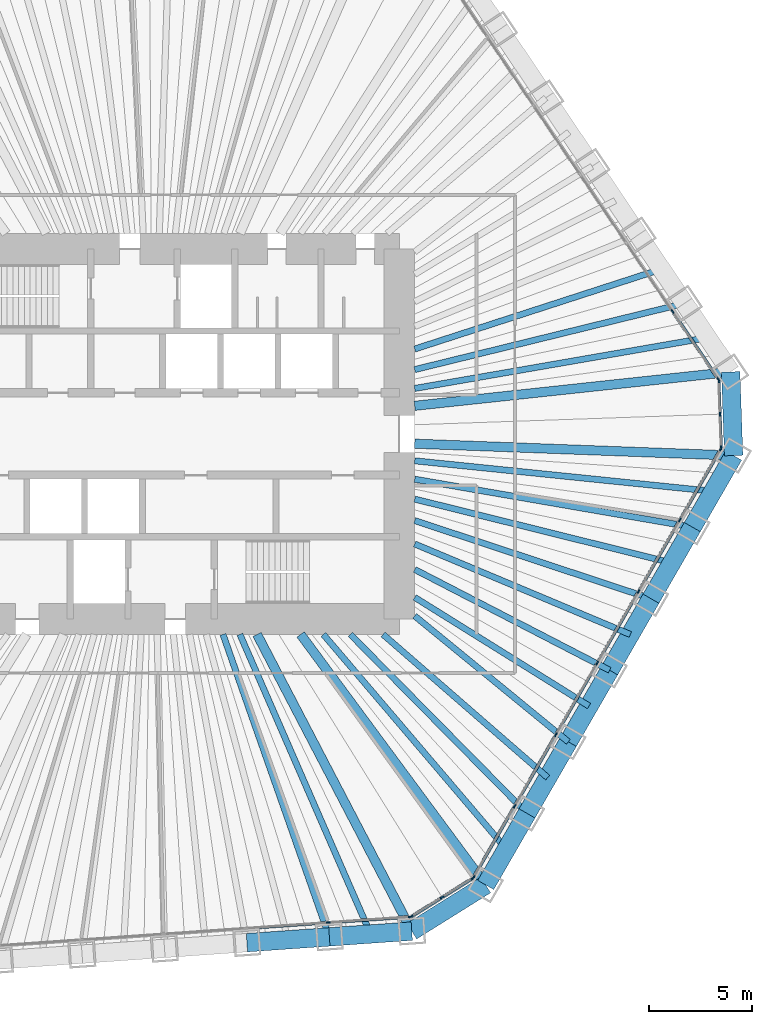
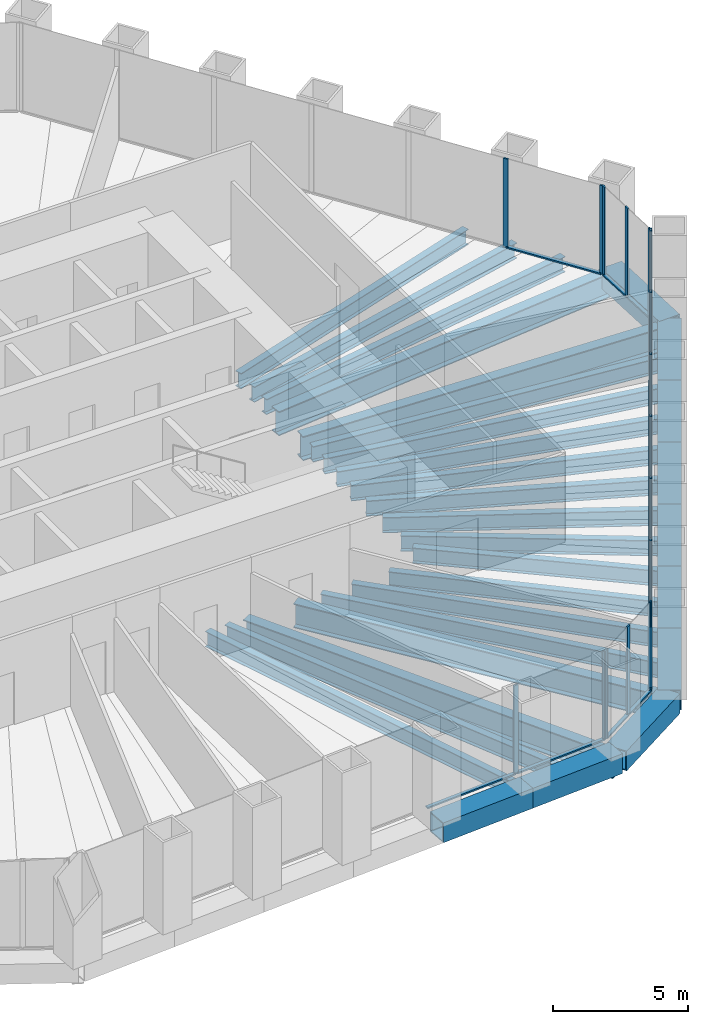
# One storey, part 4 of 13: 30 beams, 30 members, 5 elements without a shape of their own.
"""IFC4 building model written with IfcOpenShell, lengths in metres."""

from ifc_helpers import new_model, si_unit, direction, frame, origin, origin_2d, place, context, subcontext, project, spatial, rectangle, hollow_rectangle, i_section, extrude, material, material_profile, profile_set, type_object, element, aggregate, save


model = new_model("IFC4")

# Units and contexts
model_context = context("Model", 3, precision=1e-05, world=origin(), true_north=direction((0.0, 1.0)))
body_context = subcontext(model_context, "Body", "Model", "MODEL_VIEW")
ifc_project = project(units=[si_unit("LENGTHUNIT", "METRE"), si_unit("AREAUNIT", "SQUARE_METRE"), si_unit("VOLUMEUNIT", "CUBIC_METRE"), si_unit("PLANEANGLEUNIT", "RADIAN"), si_unit("MASSUNIT", "GRAM", prefix="KILO")], contexts=[model_context])

# Site, building, storey
site_placement = place(None, origin())
site = spatial("IfcSite", under=ifc_project, at=site_placement, CompositionType="ELEMENT")
building_placement = place(site_placement, origin())
building = spatial("IfcBuilding", under=site, at=building_placement, Name="Qingtian Harvest Tower", CompositionType="ELEMENT")
storey_placement = place(building_placement, frame((0.0, 0.0, 111.39990234375)))
storey = spatial("IfcBuildingStorey", under=building, at=storey_placement, Name="L22", CompositionType="ELEMENT", Elevation=111.39990234375)

# Beams
ifc_material_1 = material(Name="Steel SM570MC", Category="steel")
ifc_material_profile_1 = material_profile(ifc_material_1, i_section(OverallWidth=0.449951171875, OverallDepth=1.10009765625, WebThickness=0.02197265625, FlangeThickness=0.044921875, at=origin_2d()), Name="H1100x450x22x45")
ifc_profile_set_1 = profile_set([ifc_material_profile_1], Name="Steel SM570MC")
beam_type_1 = type_object("IfcBeamType", Name="Corner floor beam FB8 H1100x450x22x45", PredefinedType="BEAM", material=ifc_profile_set_1)
beam_1_placement = place(storey_placement, frame((28.119384765625, 3.0185546875, -0.719970703125), z_axis=(-0.994287324052, -0.106736672374, 0.0), x_axis=(0.106736672374, -0.994287324052, 0.0)))
element("IfcBeam", 1, at=beam_1_placement, inside=storey, type_object=beam_type_1, Name="Floor beam FB8 NE6", PredefinedType="BEAM", context=body_context, shape_type="SweptSolid", body=[
    extrude(i_section(OverallWidth=0.449951171875, OverallDepth=1.10009765625, WebThickness=0.02197265625, FlangeThickness=0.044921875, at=origin_2d()), origin(), (0.0, 0.0, 1.0), 15.457763671875),
])
beam_2_placement = place(storey_placement, frame((28.261474609375, -1.049560546875, -0.719970703125), z_axis=(-0.999311425285, 0.03710357523, 0.0), x_axis=(-0.03710357523, -0.999311425285, 0.0)))
element("IfcBeam", 2, at=beam_2_placement, inside=storey, type_object=beam_type_1, Name="Floor beam FB8 SE0", PredefinedType="BEAM", context=body_context, shape_type="SweptSolid", body=[
    extrude(i_section(OverallWidth=0.449951171875, OverallDepth=1.10009765625, WebThickness=0.02197265625, FlangeThickness=0.044921875, at=origin_2d()), origin(), (0.0, 0.0, 1.0), 15.522216796875),
])
beam_3_placement = place(storey_placement, frame((16.204345703125, -21.933349609375, -0.719970703125), z_axis=(-0.594215666968, 0.804305751023, 0.0), x_axis=(-0.804305751023, -0.594215666968, 0.0)))
element("IfcBeam", 3, at=beam_3_placement, inside=storey, type_object=beam_type_1, Name="Floor beam FB8 SE6", PredefinedType="BEAM", context=body_context, shape_type="SweptSolid", body=[
    extrude(i_section(OverallWidth=0.449951171875, OverallDepth=1.10009765625, WebThickness=0.02197265625, FlangeThickness=0.044921875, at=origin_2d()), origin(), (0.0, 0.0, 1.0), 15.147705078125),
])
beam_4_placement = place(storey_placement, frame((12.610107421875, -24.17919921875, -0.719970703125), z_axis=(-0.462414751295, 0.886663745613, 0.0), x_axis=(-0.886663745613, -0.462414751295, 0.0)))
element("IfcBeam", 4, at=beam_4_placement, inside=storey, type_object=beam_type_1, Name="Floor beam FB8 S0", PredefinedType="BEAM", context=body_context, shape_type="SweptSolid", body=[
    extrude(i_section(OverallWidth=0.449951171875, OverallDepth=1.10009765625, WebThickness=0.02197265625, FlangeThickness=0.044921875, at=origin_2d()), origin(), (0.0, 0.0, 1.0), 16.273681640625),
])
ifc_material_2 = material(Name="Steel SN490B", Category="steel")
ifc_material_profile_2 = material_profile(ifc_material_2, i_section(OverallWidth=0.300048828125, OverallDepth=0.699951171875, WebThickness=0.012939453125, FlangeThickness=0.02392578125, at=origin_2d()), Name="H700x300x13x24")
ifc_profile_set_2 = profile_set([ifc_material_profile_2], Name="Steel SN490B")
beam_type_2 = type_object("IfcBeamType", Name="Floor beam FB2 H700x300x13x24", PredefinedType="BEAM", material=ifc_profile_set_2)
beam_5_placement = place(storey_placement, frame((25.8720703125, 6.3505859375, -0.52001953125), z_axis=(-0.971170997483, -0.2383839207, 0.0), x_axis=(0.2383839207, -0.971170997483, 0.0)))
element("IfcBeam", 5, at=beam_5_placement, inside=storey, type_object=beam_type_2, Name="Floor beam FB2 NE5", PredefinedType="BEAM", context=body_context, shape_type="SweptSolid", body=[
    extrude(i_section(OverallWidth=0.300048828125, OverallDepth=0.699951171875, WebThickness=0.012939453125, FlangeThickness=0.02392578125, at=origin_2d()), origin(), (0.0, 0.0, 1.0), 13.511474609375),
])
beam_6_placement = place(storey_placement, frame((26.251953125, -4.5302734375, -0.52001953125), z_axis=(-0.985433767107, 0.170059667895, 0.0), x_axis=(-0.170059667895, -0.985433767107, 0.0)))
element("IfcBeam", 6, at=beam_6_placement, inside=storey, type_object=beam_type_2, Name="Floor beam FB2 SE1", PredefinedType="BEAM", context=body_context, shape_type="SweptSolid", body=[
    extrude(i_section(OverallWidth=0.300048828125, OverallDepth=0.699951171875, WebThickness=0.012939453125, FlangeThickness=0.02392578125, at=origin_2d()), origin(), (0.0, 0.0, 1.0), 13.701416015625),
])
beam_7_placement = place(storey_placement, frame((24.242431640625, -8.010986328125, -0.52001953125), z_axis=(-0.949497047328, 0.31377596644, 0.0), x_axis=(-0.31377596644, -0.949497047328, 0.0)))
element("IfcBeam", 7, at=beam_7_placement, inside=storey, type_object=beam_type_2, Name="Floor beam FB2 SE2", PredefinedType="BEAM", context=body_context, shape_type="SweptSolid", body=[
    extrude(i_section(OverallWidth=0.300048828125, OverallDepth=0.699951171875, WebThickness=0.012939453125, FlangeThickness=0.02392578125, at=origin_2d()), origin(), (0.0, 0.0, 1.0), 12.103759765625),
])
beam_8_placement = place(storey_placement, frame((22.23291015625, -11.491455078125, -0.52001953125), z_axis=(-0.888354700773, 0.459157843899, 0.0), x_axis=(-0.459157843899, -0.888354700773, 0.0)))
element("IfcBeam", 8, at=beam_8_placement, inside=storey, type_object=beam_type_2, Name="Floor beam FB2 SE3", PredefinedType="BEAM", context=body_context, shape_type="SweptSolid", body=[
    extrude(i_section(OverallWidth=0.300048828125, OverallDepth=0.699951171875, WebThickness=0.012939453125, FlangeThickness=0.02392578125, at=origin_2d()), origin(), (0.0, 0.0, 1.0), 10.6748046875),
])
beam_9_placement = place(storey_placement, frame((20.223388671875, -14.97216796875, -0.52001953125), z_axis=(-0.773577716445, 0.633701441233, 0.0), x_axis=(-0.633701441233, -0.773577716445, 0.0)))
element("IfcBeam", 9, at=beam_9_placement, inside=storey, type_object=beam_type_2, Name="Floor beam FB2 SE4", PredefinedType="BEAM", context=body_context, shape_type="SweptSolid", body=[
    extrude(i_section(OverallWidth=0.300048828125, OverallDepth=0.699951171875, WebThickness=0.012939453125, FlangeThickness=0.02392578125, at=origin_2d()), origin(), (0.0, 0.0, 1.0), 9.660888671875),
])
beam_10_placement = place(storey_placement, frame((18.2138671875, -18.452880859375, -0.52001953125), z_axis=(-0.702479751847, 0.711703729262, 0.0), x_axis=(-0.711703729262, -0.702479751847, 0.0)))
element("IfcBeam", 10, at=beam_10_placement, inside=storey, type_object=beam_type_2, Name="Floor beam FB2 SE5", PredefinedType="BEAM", context=body_context, shape_type="SweptSolid", body=[
    extrude(i_section(OverallWidth=0.300048828125, OverallDepth=0.699951171875, WebThickness=0.012939453125, FlangeThickness=0.02392578125, at=origin_2d()), origin(), (0.0, 0.0, 1.0), 12.228271484375),
])
beam_11_placement = place(storey_placement, frame((8.600830078125, -24.459716796875, -0.52001953125), z_axis=(-0.331719146802, 0.943378189087, 0.0), x_axis=(-0.943378189087, -0.331719146802, 0.0)))
element("IfcBeam", 11, at=beam_11_placement, inside=storey, type_object=beam_type_2, Name="Floor beam FB2 S1", PredefinedType="BEAM", context=body_context, shape_type="SweptSolid", body=[
    extrude(i_section(OverallWidth=0.300048828125, OverallDepth=0.699951171875, WebThickness=0.012939453125, FlangeThickness=0.02392578125, at=origin_2d()), origin(), (0.0, 0.0, 1.0), 15.592529296875),
])
ifc_material_3 = material(Name="Steel SN490B", Category="steel")
ifc_material_profile_3 = material_profile(ifc_material_3, i_section(OverallWidth=0.300048828125, OverallDepth=0.699951171875, WebThickness=0.012939453125, FlangeThickness=0.02392578125, at=origin_2d()), Name="H700x300x13x24")
ifc_profile_set_3 = profile_set([ifc_material_profile_3], Name="Steel SN490B")
beam_type_3 = type_object("IfcBeamType", Name="Floor joist J2 H700x300x13x24", PredefinedType="JOIST", material=ifc_profile_set_3)
beam_12_placement = place(storey_placement, frame((24.748291015625, 8.016357421875, -0.52001953125), z_axis=(-0.951335907519, -0.308155790249, 0.0), x_axis=(0.308155790249, -0.951335907519, 0.0)))
element("IfcBeam", 12, at=beam_12_placement, inside=storey, type_object=beam_type_3, Name="Floor joist J2 NE4", PredefinedType="JOIST", context=body_context, shape_type="SweptSolid", body=[
    extrude(i_section(OverallWidth=0.300048828125, OverallDepth=0.699951171875, WebThickness=0.012939453125, FlangeThickness=0.02392578125, at=origin_2d()), origin(), (0.0, 0.0, 1.0), 12.612060546875),
])
beam_13_placement = place(storey_placement, frame((26.99560546875, 4.6845703125, -0.52001953125), z_axis=(-0.985273903188, -0.17098343691, 0.0), x_axis=(0.17098343691, -0.985273903188, 0.0)))
element("IfcBeam", 13, at=beam_13_placement, inside=storey, type_object=beam_type_3, Name="Floor joist J2 NE5", PredefinedType="JOIST", context=body_context, shape_type="SweptSolid", body=[
    extrude(i_section(OverallWidth=0.300048828125, OverallDepth=0.699951171875, WebThickness=0.012939453125, FlangeThickness=0.02392578125, at=origin_2d()), origin(), (0.0, 0.0, 1.0), 14.45849609375),
])
beam_14_placement = place(storey_placement, frame((27.2568359375, -2.7900390625, -0.52001953125), z_axis=(-0.994802418411, 0.101824104826, 0.0), x_axis=(-0.101824104826, -0.994802418411, 0.0)))
element("IfcBeam", 14, at=beam_14_placement, inside=storey, type_object=beam_type_3, Name="Floor joist J2 SE0", PredefinedType="JOIST", context=body_context, shape_type="SweptSolid", body=[
    extrude(i_section(OverallWidth=0.300048828125, OverallDepth=0.699951171875, WebThickness=0.012939453125, FlangeThickness=0.02392578125, at=origin_2d()), origin(), (0.0, 0.0, 1.0), 14.58251953125),
])
beam_15_placement = place(storey_placement, frame((25.247314453125, -6.2705078125, -0.52001953125), z_axis=(-0.970517179244, 0.241031958032, 0.0), x_axis=(-0.241031958032, -0.970517179244, 0.0)))
element("IfcBeam", 15, at=beam_15_placement, inside=storey, type_object=beam_type_3, Name="Floor joist J2 SE1", PredefinedType="JOIST", context=body_context, shape_type="SweptSolid", body=[
    extrude(i_section(OverallWidth=0.300048828125, OverallDepth=0.699951171875, WebThickness=0.012939453125, FlangeThickness=0.02392578125, at=origin_2d()), origin(), (0.0, 0.0, 1.0), 12.876953125),
])
beam_16_placement = place(storey_placement, frame((23.237548828125, -9.751220703125, -0.52001953125), z_axis=(-0.922104219626, 0.386941608189, 0.0), x_axis=(-0.386941608189, -0.922104219626, 0.0)))
element("IfcBeam", 16, at=beam_16_placement, inside=storey, type_object=beam_type_3, Name="Floor joist J2 SE2", PredefinedType="JOIST", context=body_context, shape_type="SweptSolid", body=[
    extrude(i_section(OverallWidth=0.300048828125, OverallDepth=0.699951171875, WebThickness=0.012939453125, FlangeThickness=0.02392578125, at=origin_2d()), origin(), (0.0, 0.0, 1.0), 11.37353515625),
])
beam_17_placement = place(storey_placement, frame((21.22802734375, -13.23193359375, -0.52001953125), z_axis=(-0.848631984892, 0.528983699389, 0.0), x_axis=(-0.528983699389, -0.848631984892, 0.0)))
element("IfcBeam", 17, at=beam_17_placement, inside=storey, type_object=beam_type_3, Name="Floor joist J2 SE3", PredefinedType="JOIST", context=body_context, shape_type="SweptSolid", body=[
    extrude(i_section(OverallWidth=0.300048828125, OverallDepth=0.699951171875, WebThickness=0.012939453125, FlangeThickness=0.02392578125, at=origin_2d()), origin(), (0.0, 0.0, 1.0), 9.990234375),
])
beam_18_placement = place(storey_placement, frame((19.218505859375, -16.71240234375, -0.52001953125), z_axis=(-0.754588679317, 0.656198083697, 0.0), x_axis=(-0.656198083697, -0.754588679317, 0.0)))
element("IfcBeam", 18, at=beam_18_placement, inside=storey, type_object=beam_type_3, Name="Floor joist J2 SE4", PredefinedType="JOIST", context=body_context, shape_type="SweptSolid", body=[
    extrude(i_section(OverallWidth=0.300048828125, OverallDepth=0.699951171875, WebThickness=0.012939453125, FlangeThickness=0.02392578125, at=origin_2d()), origin(), (0.0, 0.0, 1.0), 10.610107421875),
])
beam_19_placement = place(storey_placement, frame((17.208984375, -20.193115234375, -0.52001953125), z_axis=(-0.648631797865, 0.76110235238, 0.0), x_axis=(-0.76110235238, -0.648631797865, 0.0)))
element("IfcBeam", 19, at=beam_19_placement, inside=storey, type_object=beam_type_3, Name="Floor joist J2 SE5", PredefinedType="JOIST", context=body_context, shape_type="SweptSolid", body=[
    extrude(i_section(OverallWidth=0.300048828125, OverallDepth=0.699951171875, WebThickness=0.012939453125, FlangeThickness=0.02392578125, at=origin_2d()), origin(), (0.0, 0.0, 1.0), 13.720947265625),
])
beam_20_placement = place(storey_placement, frame((10.60546875, -24.3193359375, -0.52001953125), z_axis=(-0.399732363577, 0.916631898588, 0.0), x_axis=(-0.916631898588, -0.399732363577, 0.0)))
element("IfcBeam", 20, at=beam_20_placement, inside=storey, type_object=beam_type_3, Name="Floor joist J2 S0", PredefinedType="JOIST", context=body_context, shape_type="SweptSolid", body=[
    extrude(i_section(OverallWidth=0.300048828125, OverallDepth=0.699951171875, WebThickness=0.012939453125, FlangeThickness=0.02392578125, at=origin_2d()), origin(), (0.0, 0.0, 1.0), 15.89453125),
])

# Curtain wall, members
ifc_material_4 = material(Name="Bronze-anodised aluminium curtain wall", Category="aluminium")
curtain_wall_type = type_object("IfcCurtainWallType", Name="Curtain wall CW4 office", PredefinedType="USERDEFINED", material=ifc_material_4)
curtain_wall_1_placement = place(storey_placement, origin())
curtain_wall_1 = element("IfcCurtainWall", 21, at=curtain_wall_1_placement, inside=storey, type_object=curtain_wall_type, Name="Curtain wall CW4 L22 NE0-5", ObjectType="RECESSED CURTAIN WALL", PredefinedType="USERDEFINED")
ifc_material_5 = material(Name="Bronze-anodised aluminium mullion", Category="aluminium")
ifc_material_profile_4 = material_profile(ifc_material_5, rectangle(XDim=0.06494140625, YDim=0.199951171875, at=origin_2d()), Name="AL 65x200")
ifc_profile_set_4 = profile_set([ifc_material_profile_4], Name="Bronze-anodised aluminium mullion")
member_type_1 = type_object("IfcMemberType", Name="Mullion CWM 65x200", PredefinedType="MULLION", material=ifc_profile_set_4)
member_1_placement = place(storey_placement, frame((25.291748046875, 5.958984375, 0.0), z_axis=(0.0, 0.0, 1.0), x_axis=(0.829037572555, 0.559192903471, 0.0)))
member_1 = element("IfcMember", 22, at=member_1_placement, type_object=member_type_1, Name="CW4 mullion 6", PredefinedType="MULLION", context=body_context, shape_type="SweptSolid", body=[
    extrude(rectangle(XDim=0.06494140625, YDim=0.199951171875, at=origin_2d()), origin(), (0.0, 0.0, 1.0), 4.030029296875),
])
member_2_placement = place(storey_placement, frame((27.52099609375, 2.654052734375, 0.0), z_axis=(0.0, 0.0, 1.0), x_axis=(0.829037572555, 0.559192903471, 0.0)))
member_2 = element("IfcMember", 23, at=member_2_placement, type_object=member_type_1, Name="CW4 mullion 7", PredefinedType="MULLION", context=body_context, shape_type="SweptSolid", body=[
    extrude(rectangle(XDim=0.06494140625, YDim=0.199951171875, at=origin_2d()), origin(), (0.0, 0.0, 1.0), 4.030029296875),
])

curtain_wall_2_placement = place(storey_placement, origin())
curtain_wall_2 = element("IfcCurtainWall", 24, at=curtain_wall_2_placement, inside=storey, type_object=curtain_wall_type, Name="Curtain wall CW4 L22 NEC", ObjectType="RECESSED CURTAIN WALL", PredefinedType="USERDEFINED")
member_3_placement = place(storey_placement, frame((27.540283203125, 2.594482421875, 0.0), z_axis=(0.0, 0.0, 1.0), x_axis=(0.999390827019, 0.034899496703, 0.0)))
member_3 = element("IfcMember", 25, at=member_3_placement, type_object=member_type_1, Name="CW4 mullion 1", PredefinedType="MULLION", context=body_context, shape_type="SweptSolid", body=[
    extrude(rectangle(XDim=0.06494140625, YDim=0.199951171875, at=origin_2d()), origin(), (0.0, 0.0, 1.0), 4.030029296875),
])
member_4_placement = place(storey_placement, frame((27.59716796875, 0.963623046875, 0.0), z_axis=(0.0, 0.0, 1.0), x_axis=(0.999390827019, 0.034899496703, 0.0)))
member_4 = element("IfcMember", 26, at=member_4_placement, type_object=member_type_1, Name="CW4 mullion 2", PredefinedType="MULLION", context=body_context, shape_type="SweptSolid", body=[
    extrude(rectangle(XDim=0.06494140625, YDim=0.199951171875, at=origin_2d()), origin(), (0.0, 0.0, 1.0), 4.030029296875),
])
member_5_placement = place(storey_placement, frame((27.654052734375, -0.667236328125, 0.0), z_axis=(0.0, 0.0, 1.0), x_axis=(0.999390827019, 0.034899496703, 0.0)))
member_5 = element("IfcMember", 27, at=member_5_placement, type_object=member_type_1, Name="CW4 mullion 3", PredefinedType="MULLION", context=body_context, shape_type="SweptSolid", body=[
    extrude(rectangle(XDim=0.06494140625, YDim=0.199951171875, at=origin_2d()), origin(), (0.0, 0.0, 1.0), 4.030029296875),
])

curtain_wall_3_placement = place(storey_placement, origin())
curtain_wall_3 = element("IfcCurtainWall", 28, at=curtain_wall_3_placement, inside=storey, type_object=curtain_wall_type, Name="Curtain wall CW4 L22 SE0-5", ObjectType="RECESSED CURTAIN WALL", PredefinedType="USERDEFINED")
member_6_placement = place(storey_placement, frame((27.638916015625, -0.727783203125, 0.0), z_axis=(0.0, 0.0, 1.0), x_axis=(0.866025403784, -0.5, 0.0)))
member_6 = element("IfcMember", 29, at=member_6_placement, type_object=member_type_1, Name="CW4 mullion 1", PredefinedType="MULLION", context=body_context, shape_type="SweptSolid", body=[
    extrude(rectangle(XDim=0.06494140625, YDim=0.199951171875, at=origin_2d()), origin(), (0.0, 0.0, 1.0), 4.030029296875),
])
member_7_placement = place(storey_placement, frame((25.645751953125, -4.18017578125, 0.0), z_axis=(0.0, 0.0, 1.0), x_axis=(0.866025403784, -0.5, 0.0)))
member_7 = element("IfcMember", 30, at=member_7_placement, type_object=member_type_1, Name="CW4 mullion 2", PredefinedType="MULLION", context=body_context, shape_type="SweptSolid", body=[
    extrude(rectangle(XDim=0.06494140625, YDim=0.199951171875, at=origin_2d()), origin(), (0.0, 0.0, 1.0), 4.030029296875),
])
member_8_placement = place(storey_placement, frame((23.63623046875, -7.660888671875, 0.0), z_axis=(0.0, 0.0, 1.0), x_axis=(0.866025403784, -0.5, 0.0)))
member_8 = element("IfcMember", 31, at=member_8_placement, type_object=member_type_1, Name="CW4 mullion 3", PredefinedType="MULLION", context=body_context, shape_type="SweptSolid", body=[
    extrude(rectangle(XDim=0.06494140625, YDim=0.199951171875, at=origin_2d()), origin(), (0.0, 0.0, 1.0), 4.030029296875),
])
member_9_placement = place(storey_placement, frame((21.626708984375, -11.1416015625, 0.0), z_axis=(0.0, 0.0, 1.0), x_axis=(0.866025403784, -0.5, 0.0)))
member_9 = element("IfcMember", 32, at=member_9_placement, type_object=member_type_1, Name="CW4 mullion 4", PredefinedType="MULLION", context=body_context, shape_type="SweptSolid", body=[
    extrude(rectangle(XDim=0.06494140625, YDim=0.199951171875, at=origin_2d()), origin(), (0.0, 0.0, 1.0), 4.030029296875),
])
member_10_placement = place(storey_placement, frame((19.6171875, -14.6220703125, 0.0), z_axis=(0.0, 0.0, 1.0), x_axis=(0.866025403784, -0.5, 0.0)))
member_10 = element("IfcMember", 33, at=member_10_placement, type_object=member_type_1, Name="CW4 mullion 5", PredefinedType="MULLION", context=body_context, shape_type="SweptSolid", body=[
    extrude(rectangle(XDim=0.06494140625, YDim=0.199951171875, at=origin_2d()), origin(), (0.0, 0.0, 1.0), 4.030029296875),
])
member_11_placement = place(storey_placement, frame((17.607666015625, -18.102783203125, 0.0), z_axis=(0.0, 0.0, 1.0), x_axis=(0.866025403784, -0.5, 0.0)))
member_11 = element("IfcMember", 34, at=member_11_placement, type_object=member_type_1, Name="CW4 mullion 6", PredefinedType="MULLION", context=body_context, shape_type="SweptSolid", body=[
    extrude(rectangle(XDim=0.06494140625, YDim=0.199951171875, at=origin_2d()), origin(), (0.0, 0.0, 1.0), 4.030029296875),
])
member_12_placement = place(storey_placement, frame((15.6142578125, -21.55517578125, 0.0), z_axis=(0.0, 0.0, 1.0), x_axis=(0.866025403784, -0.5, 0.0)))
member_12 = element("IfcMember", 35, at=member_12_placement, type_object=member_type_1, Name="CW4 mullion 7", PredefinedType="MULLION", context=body_context, shape_type="SweptSolid", body=[
    extrude(rectangle(XDim=0.06494140625, YDim=0.199951171875, at=origin_2d()), origin(), (0.0, 0.0, 1.0), 4.030029296875),
])

curtain_wall_4_placement = place(storey_placement, origin())
curtain_wall_4 = element("IfcCurtainWall", 36, at=curtain_wall_4_placement, inside=storey, type_object=curtain_wall_type, Name="Curtain wall CW4 L22 SEC", ObjectType="RECESSED CURTAIN WALL", PredefinedType="USERDEFINED")
member_13_placement = place(storey_placement, frame((15.570556640625, -21.6005859375, 0.0), z_axis=(0.0, 0.0, 1.0), x_axis=(0.529919264233, -0.848048096156, 0.0)))
member_13 = element("IfcMember", 37, at=member_13_placement, type_object=member_type_1, Name="CW4 mullion 1", PredefinedType="MULLION", context=body_context, shape_type="SweptSolid", body=[
    extrude(rectangle(XDim=0.06494140625, YDim=0.199951171875, at=origin_2d()), origin(), (0.0, 0.0, 1.0), 4.030029296875),
])
member_14_placement = place(storey_placement, frame((14.07958984375, -22.5322265625, 0.0), z_axis=(0.0, 0.0, 1.0), x_axis=(0.529919264233, -0.848048096156, 0.0)))
member_14 = element("IfcMember", 38, at=member_14_placement, type_object=member_type_1, Name="CW4 mullion 2", PredefinedType="MULLION", context=body_context, shape_type="SweptSolid", body=[
    extrude(rectangle(XDim=0.06494140625, YDim=0.199951171875, at=origin_2d()), origin(), (0.0, 0.0, 1.0), 4.030029296875),
])
member_15_placement = place(storey_placement, frame((12.5888671875, -23.4638671875, 0.0), z_axis=(0.0, 0.0, 1.0), x_axis=(0.529919264233, -0.848048096156, 0.0)))
member_15 = element("IfcMember", 39, at=member_15_placement, type_object=member_type_1, Name="CW4 mullion 3", PredefinedType="MULLION", context=body_context, shape_type="SweptSolid", body=[
    extrude(rectangle(XDim=0.06494140625, YDim=0.199951171875, at=origin_2d()), origin(), (0.0, 0.0, 1.0), 4.030029296875),
])

curtain_wall_5_placement = place(storey_placement, origin())
curtain_wall_5 = element("IfcCurtainWall", 40, at=curtain_wall_5_placement, inside=storey, type_object=curtain_wall_type, Name="Curtain wall CW4 L22 S0-5", ObjectType="RECESSED CURTAIN WALL", PredefinedType="USERDEFINED")
member_16_placement = place(storey_placement, frame((12.52880859375, -23.483154296875, 0.0), z_axis=(0.0, 0.0, 1.0), x_axis=(0.069756473744, -0.99756405026, 0.0)))
member_16 = element("IfcMember", 41, at=member_16_placement, type_object=member_type_1, Name="CW4 mullion 1", PredefinedType="MULLION", context=body_context, shape_type="SweptSolid", body=[
    extrude(rectangle(XDim=0.06494140625, YDim=0.199951171875, at=origin_2d()), origin(), (0.0, 0.0, 1.0), 4.030029296875),
])
member_17_placement = place(storey_placement, frame((8.552001953125, -23.76123046875, 0.0), z_axis=(0.0, 0.0, 1.0), x_axis=(0.069756473744, -0.99756405026, 0.0)))
member_17 = element("IfcMember", 42, at=member_17_placement, type_object=member_type_1, Name="CW4 mullion 2", PredefinedType="MULLION", context=body_context, shape_type="SweptSolid", body=[
    extrude(rectangle(XDim=0.06494140625, YDim=0.199951171875, at=origin_2d()), origin(), (0.0, 0.0, 1.0), 4.030029296875),
])

# Beams
ifc_material_6 = material(Name="Steel SM570MC", Category="steel")
ifc_material_profile_5 = material_profile(ifc_material_6, hollow_rectangle(XDim=0.89990234375, YDim=0.89990234375, WallThickness=0.050048828125, at=origin_2d()), Name="BOX900x900x50")
ifc_profile_set_5 = profile_set([ifc_material_profile_5], Name="Steel SM570MC")
beam_type_4 = type_object("IfcBeamType", Name="Transition spandrel SB6 BOX900x900x50", PredefinedType="SPANDREL", material=ifc_profile_set_5)
beam_21_placement = place(storey_placement, frame((28.119384765625, 3.0185546875, -0.449951171875), z_axis=(0.03490639867, -0.999390585973, 0.0), x_axis=(0.999390585973, 0.03490639867, 0.0)))
element("IfcBeam", 43, at=beam_21_placement, inside=storey, type_object=beam_type_4, Name="Spandrel SB6 NEC", PredefinedType="SPANDREL", context=body_context, shape_type="SweptSolid", body=[
    extrude(hollow_rectangle(XDim=0.89990234375, YDim=0.89990234375, WallThickness=0.050048828125, at=origin_2d()), origin(), (0.0, 0.0, 1.0), 4.070556640625),
])
for number, where, z_axis, x_axis, name in (
    (44, (28.261474609375, -1.049560546875, -0.449951171875), (-0.499987116613, -0.866032841884, 0.0), (0.866032841884, -0.499987116613, 0.0), "Spandrel SB6 SE0"),
    (45, (26.251953125, -4.5302734375, -0.449951171875), (-0.499987116613, -0.866032841884, 0.0), (0.866032841884, -0.499987116613, 0.0), "Spandrel SB6 SE1"),
    (46, (24.242431640625, -8.010986328125, -0.449951171875), (-0.500013420409, -0.866017655369, 0.0), (0.866017655369, -0.500013420409, 0.0), "Spandrel SB6 SE2"),
    (47, (22.23291015625, -11.491455078125, -0.449951171875), (-0.499987116613, -0.866032841884, 0.0), (0.866032841884, -0.499987116613, 0.0), "Spandrel SB6 SE3"),
    (48, (20.223388671875, -14.97216796875, -0.449951171875), (-0.499987116613, -0.866032841884, 0.0), (0.866032841884, -0.499987116613, 0.0), "Spandrel SB6 SE4"),
    (49, (18.2138671875, -18.452880859375, -0.449951171875), (-0.500013420409, -0.866017655369, 0.0), (0.866017655369, -0.500013420409, 0.0), "Spandrel SB6 SE5"),
):
    element("IfcBeam", number, at=place(storey_placement, frame(where, z_axis=z_axis, x_axis=x_axis)), inside=storey, type_object=beam_type_4, Name=name, PredefinedType="SPANDREL", context=body_context, shape_type="SweptSolid", body=[
        extrude(hollow_rectangle(XDim=0.89990234375, YDim=0.89990234375, WallThickness=0.050048828125, at=origin_2d()), origin(), (0.0, 0.0, 1.0), 4.01904296875),
    ])
beam_22_placement = place(storey_placement, frame((16.204345703125, -21.933349609375, -0.449951171875), z_axis=(-0.848056550838, -0.529905733675, 0.0), x_axis=(0.529905733675, -0.848056550838, 0.0)))
element("IfcBeam", 50, at=beam_22_placement, inside=storey, type_object=beam_type_4, Name="Spandrel SB6 SEC", PredefinedType="SPANDREL", context=body_context, shape_type="SweptSolid", body=[
    extrude(hollow_rectangle(XDim=0.89990234375, YDim=0.89990234375, WallThickness=0.050048828125, at=origin_2d()), origin(), (0.0, 0.0, 1.0), 4.23828125),
])
for number, where, z_axis, x_axis, name in (
    (51, (12.610107421875, -24.17919921875, -0.449951171875), (-0.997561251588, -0.069796485086, 0.0), (0.069796485086, -0.997561251588, 0.0), "Spandrel SB6 S0"),
    (52, (8.600830078125, -24.459716796875, -0.449951171875), (-0.997565479251, -0.069736035208, 0.0), (0.069736035208, -0.997565479251, 0.0), "Spandrel SB6 S1"),
):
    element("IfcBeam", number, at=place(storey_placement, frame(where, z_axis=z_axis, x_axis=x_axis)), inside=storey, type_object=beam_type_4, Name=name, PredefinedType="SPANDREL", context=body_context, shape_type="SweptSolid", body=[
        extrude(hollow_rectangle(XDim=0.89990234375, YDim=0.89990234375, WallThickness=0.050048828125, at=origin_2d()), origin(), (0.0, 0.0, 1.0), 4.01904296875),
    ])

# Member
ifc_material_7 = material(Name="Bronze-anodised aluminium transom", Category="aluminium")
ifc_material_profile_6 = material_profile(ifc_material_7, rectangle(XDim=0.14990234375, YDim=0.06494140625, at=origin_2d()), Name="AL 65x150")
ifc_profile_set_6 = profile_set([ifc_material_profile_6], Name="Bronze-anodised aluminium transom")
member_type_2 = type_object("IfcMemberType", Name="Transom CWT 65x150", PredefinedType="USERDEFINED", material=ifc_profile_set_6)
member_18_placement = place(storey_placement, frame((25.309814453125, 5.93212890625, 0.03271484375), z_axis=(0.559174507936, -0.829049980203, 0.0), x_axis=(0.829049980203, 0.559174507936, 0.0)))
member_18 = element("IfcMember", 53, at=member_18_placement, type_object=member_type_2, Name="CW4 transom 6.1", ObjectType="TRANSOM", PredefinedType="USERDEFINED", context=body_context, shape_type="SweptSolid", body=[
    extrude(rectangle(XDim=0.14990234375, YDim=0.06494140625, at=origin_2d()), origin(), (0.0, 0.0, 1.0), 3.921630859375),
])

aggregate(curtain_wall_1, [member_1, member_2, member_18])

member_19_placement = place(storey_placement, frame((27.541259765625, 2.56201171875, 0.03271484375), z_axis=(0.034902326647, -0.999390728191, 0.0), x_axis=(0.999390728191, 0.034902326647, 0.0)))
member_19 = element("IfcMember", 54, at=member_19_placement, type_object=member_type_2, Name="CW4 transom 1.1", ObjectType="TRANSOM", PredefinedType="USERDEFINED", context=body_context, shape_type="SweptSolid", body=[
    extrude(rectangle(XDim=0.14990234375, YDim=0.06494140625, at=origin_2d()), origin(), (0.0, 0.0, 1.0), 1.56689453125),
])

member_20_placement = place(storey_placement, frame((27.598388671875, 0.93115234375, 0.03271484375), z_axis=(0.034902326647, -0.999390728191, 0.0), x_axis=(0.999390728191, 0.034902326647, 0.0)))
member_20 = element("IfcMember", 55, at=member_20_placement, type_object=member_type_2, Name="CW4 transom 2.1", ObjectType="TRANSOM", PredefinedType="USERDEFINED", context=body_context, shape_type="SweptSolid", body=[
    extrude(rectangle(XDim=0.14990234375, YDim=0.06494140625, at=origin_2d()), origin(), (0.0, 0.0, 1.0), 1.56689453125),
])

aggregate(curtain_wall_2, [member_3, member_4, member_5, member_19, member_20])

member_21_placement = place(storey_placement, frame((27.622802734375, -0.755859375, 0.03271484375), z_axis=(-0.499975738995, -0.866039410429, 0.0), x_axis=(0.866039410429, -0.499975738995, 0.0)))
member_21 = element("IfcMember", 56, at=member_21_placement, type_object=member_type_2, Name="CW4 transom 1.1", ObjectType="TRANSOM", PredefinedType="USERDEFINED", context=body_context, shape_type="SweptSolid", body=[
    extrude(rectangle(XDim=0.14990234375, YDim=0.06494140625, at=origin_2d()), origin(), (0.0, 0.0, 1.0), 3.921630859375),
])

member_22_placement = place(storey_placement, frame((25.62939453125, -4.20849609375, 0.03271484375), z_axis=(-0.500003941941, -0.866023127892, 0.0), x_axis=(0.866023127892, -0.500003941941, 0.0)))
member_22 = element("IfcMember", 57, at=member_22_placement, type_object=member_type_2, Name="CW4 transom 2.1", ObjectType="TRANSOM", PredefinedType="USERDEFINED", context=body_context, shape_type="SweptSolid", body=[
    extrude(rectangle(XDim=0.14990234375, YDim=0.06494140625, at=origin_2d()), origin(), (0.0, 0.0, 1.0), 3.9541015625),
])

member_23_placement = place(storey_placement, frame((23.619873046875, -7.68896484375, 0.03271484375), z_axis=(-0.500003941941, -0.866023127892, 0.0), x_axis=(0.866023127892, -0.500003941941, 0.0)))
member_23 = element("IfcMember", 58, at=member_23_placement, type_object=member_type_2, Name="CW4 transom 3.1", ObjectType="TRANSOM", PredefinedType="USERDEFINED", context=body_context, shape_type="SweptSolid", body=[
    extrude(rectangle(XDim=0.14990234375, YDim=0.06494140625, at=origin_2d()), origin(), (0.0, 0.0, 1.0), 3.9541015625),
])

member_24_placement = place(storey_placement, frame((21.6103515625, -11.169677734375, 0.03271484375), z_axis=(-0.500003941941, -0.866023127892, 0.0), x_axis=(0.866023127892, -0.500003941941, 0.0)))
member_24 = element("IfcMember", 59, at=member_24_placement, type_object=member_type_2, Name="CW4 transom 4.1", ObjectType="TRANSOM", PredefinedType="USERDEFINED", context=body_context, shape_type="SweptSolid", body=[
    extrude(rectangle(XDim=0.14990234375, YDim=0.06494140625, at=origin_2d()), origin(), (0.0, 0.0, 1.0), 3.9541015625),
])

member_25_placement = place(storey_placement, frame((19.600830078125, -14.650390625, 0.03271484375), z_axis=(-0.500003941941, -0.866023127892, 0.0), x_axis=(0.866023127892, -0.500003941941, 0.0)))
member_25 = element("IfcMember", 60, at=member_25_placement, type_object=member_type_2, Name="CW4 transom 5.1", ObjectType="TRANSOM", PredefinedType="USERDEFINED", context=body_context, shape_type="SweptSolid", body=[
    extrude(rectangle(XDim=0.14990234375, YDim=0.06494140625, at=origin_2d()), origin(), (0.0, 0.0, 1.0), 3.9541015625),
])

member_26_placement = place(storey_placement, frame((17.59130859375, -18.130859375, 0.03271484375), z_axis=(-0.499975738995, -0.866039410429, 0.0), x_axis=(0.866039410429, -0.499975738995, 0.0)))
member_26 = element("IfcMember", 61, at=member_26_placement, type_object=member_type_2, Name="CW4 transom 6.1", ObjectType="TRANSOM", PredefinedType="USERDEFINED", context=body_context, shape_type="SweptSolid", body=[
    extrude(rectangle(XDim=0.14990234375, YDim=0.06494140625, at=origin_2d()), origin(), (0.0, 0.0, 1.0), 3.921630859375),
])

aggregate(curtain_wall_3, [member_6, member_7, member_8, member_9, member_10, member_11, member_12, member_21, member_22, member_23, member_24, member_25, member_26])

member_27_placement = place(storey_placement, frame((15.54296875, -21.617919921875, 0.03271484375), z_axis=(-0.848103609743, -0.529830413568, 0.0), x_axis=(0.529830413568, -0.848103609743, 0.0)))
member_27 = element("IfcMember", 62, at=member_27_placement, type_object=member_type_2, Name="CW4 transom 1.1", ObjectType="TRANSOM", PredefinedType="USERDEFINED", context=body_context, shape_type="SweptSolid", body=[
    extrude(rectangle(XDim=0.14990234375, YDim=0.06494140625, at=origin_2d()), origin(), (0.0, 0.0, 1.0), 1.69287109375),
])

member_28_placement = place(storey_placement, frame((14.052001953125, -22.54931640625, 0.03271484375), z_axis=(-0.847998304005, -0.529998940003, 0.0), x_axis=(0.529998940003, -0.847998304005, 0.0)))
member_28 = element("IfcMember", 63, at=member_28_placement, type_object=member_type_2, Name="CW4 transom 2.1", ObjectType="TRANSOM", PredefinedType="USERDEFINED", context=body_context, shape_type="SweptSolid", body=[
    extrude(rectangle(XDim=0.14990234375, YDim=0.06494140625, at=origin_2d()), origin(), (0.0, 0.0, 1.0), 1.69287109375),
])

aggregate(curtain_wall_4, [member_13, member_14, member_15, member_27, member_28])

member_29_placement = place(storey_placement, frame((12.496337890625, -23.485595703125, 0.03271484375), z_axis=(-0.99756594446, -0.069729380128, 0.0), x_axis=(0.069729380128, -0.99756594446, 0.0)))
member_29 = element("IfcMember", 64, at=member_29_placement, type_object=member_type_2, Name="CW4 transom 1.1", ObjectType="TRANSOM", PredefinedType="USERDEFINED", context=body_context, shape_type="SweptSolid", body=[
    extrude(rectangle(XDim=0.14990234375, YDim=0.06494140625, at=origin_2d()), origin(), (0.0, 0.0, 1.0), 3.92138671875),
])

member_30_placement = place(storey_placement, frame((8.51953125, -23.763671875, 0.03271484375), z_axis=(-0.997567218353, -0.069711153102, 0.0), x_axis=(0.069711153102, -0.997567218353, 0.0)))
member_30 = element("IfcMember", 65, at=member_30_placement, type_object=member_type_2, Name="CW4 transom 2.1", ObjectType="TRANSOM", PredefinedType="USERDEFINED", context=body_context, shape_type="SweptSolid", body=[
    extrude(rectangle(XDim=0.14990234375, YDim=0.06494140625, at=origin_2d()), origin(), (0.0, 0.0, 1.0), 3.953857421875),
])

aggregate(curtain_wall_5, [member_16, member_17, member_29, member_30])

save(model, "model.ifc")
